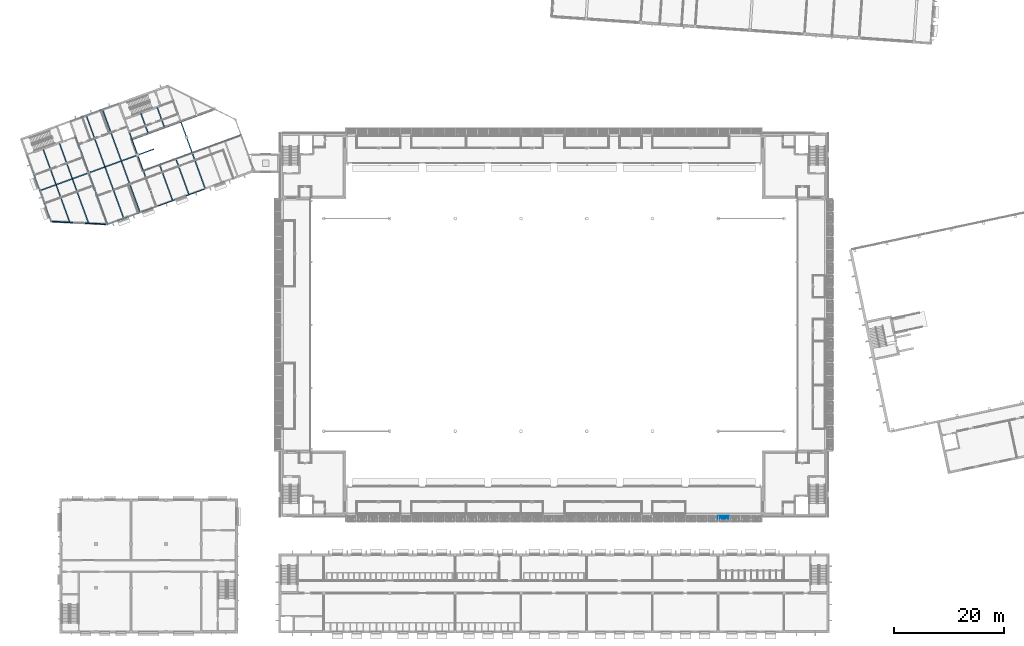
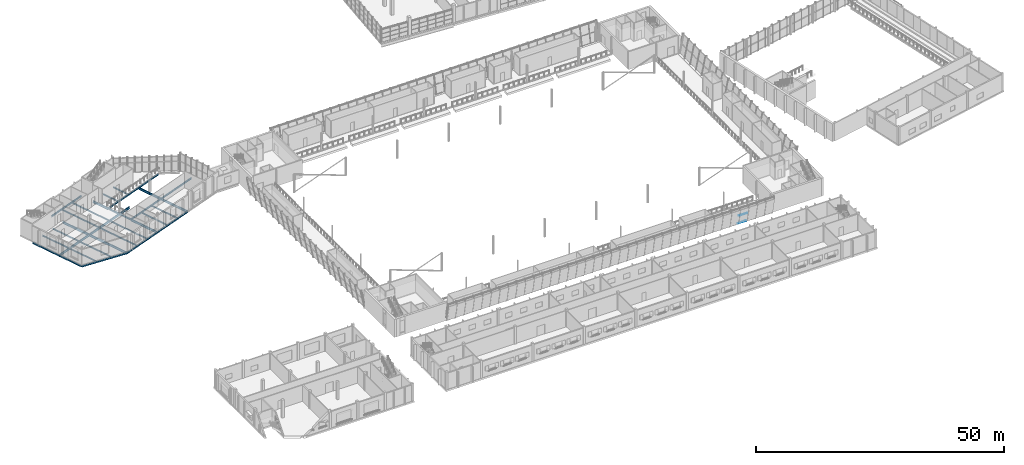
# One storey, part 30 of 115: 36 beams, 2 members, 1 element without a shape of its own.
"""IFC4 building model written with IfcOpenShell, lengths in metres."""

from ifc_helpers import new_model, si_unit, direction, frame, origin, origin_2d, place, context, subcontext, project, spatial, rectangle, i_section, extrude, material, layer, layer_set, material_profile, profile_set, type_object, element, aggregate, save


model = new_model("IFC4")

# Units and contexts
model_context = context("Model", 3, precision=1e-05, world=origin(), true_north=direction((0.0, 1.0)))
body_context = subcontext(model_context, "Body", "Model", "MODEL_VIEW")
ifc_project = project(units=[si_unit("LENGTHUNIT", "METRE"), si_unit("AREAUNIT", "SQUARE_METRE"), si_unit("VOLUMEUNIT", "CUBIC_METRE"), si_unit("PLANEANGLEUNIT", "RADIAN"), si_unit("MASSUNIT", "GRAM", prefix="KILO")], contexts=[model_context])

# Site, building, storey
site_placement = place(None, origin())
site = spatial("IfcSite", under=ifc_project, at=site_placement, CompositionType="ELEMENT")
building_placement = place(site_placement, origin())
building = spatial("IfcBuilding", under=site, at=building_placement, Name="Windward Yard Aquatics Centre", CompositionType="ELEMENT")
storey_placement = place(building_placement, frame((0.0, 0.0, 5.0)))
storey = spatial("IfcBuildingStorey", under=building, at=storey_placement, Name="L01", CompositionType="ELEMENT", Elevation=5.0)

# Beams
ifc_material_1 = material(Name="Steel S355", Category="steel")
ifc_material_profile_1 = material_profile(ifc_material_1, i_section(OverallWidth=0.202880859375, OverallDepth=0.302001953125, WebThickness=0.007568359375, FlangeThickness=0.01318359375, at=origin_2d()), Name="W310x60")
ifc_profile_set_1 = profile_set([ifc_material_profile_1], Name="Steel S355")
beam_type_1 = type_object("IfcBeamType", Name="F W310x60 joist", PredefinedType="JOIST", material=ifc_profile_set_1)
beam_1_placement = place(storey_placement, frame((13.59619140625, 79.785888671875, -0.430908203125), z_axis=(-0.342024818846, 0.939690919023, 0.0), x_axis=(-0.939690919023, -0.342024818846, 0.0)))
element("IfcBeam", 1, at=beam_1_placement, inside=storey, type_object=beam_type_1, Name="F.BM.L01.S01", PredefinedType="JOIST", context=body_context, shape_type="SweptSolid", body=[
    extrude(i_section(OverallWidth=0.202880859375, OverallDepth=0.302001953125, WebThickness=0.007568359375, FlangeThickness=0.01318359375, at=origin_2d()), origin(), (0.0, 0.0, 1.0), 7.235107421875),
])
beam_2_placement = place(storey_placement, frame((11.12158203125, 86.584716796875, -0.430908203125), z_axis=(-0.342043114572, 0.939684259618, 0.0), x_axis=(-0.939684259618, -0.342043114572, 0.0)))
element("IfcBeam", 2, at=beam_2_placement, inside=storey, type_object=beam_type_1, Name="F.BM.L01.S02", PredefinedType="JOIST", context=body_context, shape_type="SweptSolid", body=[
    extrude(i_section(OverallWidth=0.202880859375, OverallDepth=0.302001953125, WebThickness=0.007568359375, FlangeThickness=0.01318359375, at=origin_2d()), origin(), (0.0, 0.0, 1.0), 6.989990234375),
])
beam_3_placement = place(storey_placement, frame((17.02783203125, 79.615966796875, -0.430908203125), z_axis=(-0.342026726958, 0.939690224514, 0.0), x_axis=(-0.939690224514, -0.342026726958, 0.0)))
element("IfcBeam", 3, at=beam_3_placement, inside=storey, type_object=beam_type_1, Name="F.BM.L01.S03", PredefinedType="JOIST", context=body_context, shape_type="SweptSolid", body=[
    extrude(i_section(OverallWidth=0.202880859375, OverallDepth=0.302001953125, WebThickness=0.007568359375, FlangeThickness=0.01318359375, at=origin_2d()), origin(), (0.0, 0.0, 1.0), 8.568603515625),
])
beam_4_placement = place(storey_placement, frame((14.09716796875, 87.667724609375, -0.430908203125), z_axis=(-0.34201227298, 0.93969548532, 0.0), x_axis=(-0.93969548532, -0.34201227298, 0.0)))
element("IfcBeam", 4, at=beam_4_placement, inside=storey, type_object=beam_type_1, Name="F.BM.L01.S04", PredefinedType="JOIST", context=body_context, shape_type="SweptSolid", body=[
    extrude(i_section(OverallWidth=0.202880859375, OverallDepth=0.302001953125, WebThickness=0.007568359375, FlangeThickness=0.01318359375, at=origin_2d()), origin(), (0.0, 0.0, 1.0), 6.989990234375),
])
beam_5_placement = place(storey_placement, frame((23.43798828125, 80.52197265625, -0.430908203125), z_axis=(-0.342029874703, 0.939689078797, 0.0), x_axis=(-0.939689078797, -0.342029874703, 0.0)))
element("IfcBeam", 5, at=beam_5_placement, inside=storey, type_object=beam_type_1, Name="F.BM.L01.S05", PredefinedType="JOIST", context=body_context, shape_type="SweptSolid", body=[
    extrude(i_section(OverallWidth=0.202880859375, OverallDepth=0.302001953125, WebThickness=0.007568359375, FlangeThickness=0.01318359375, at=origin_2d()), origin(), (0.0, 0.0, 1.0), 9.90966796875),
])
beam_6_placement = place(storey_placement, frame((20.048583984375, 89.833984375, -0.430908203125), z_axis=(-0.342016037976, 0.939694115001, 0.0), x_axis=(-0.939694115001, -0.342016037976, 0.0)))
element("IfcBeam", 6, at=beam_6_placement, inside=storey, type_object=beam_type_1, Name="F.BM.L01.S06", PredefinedType="JOIST", context=body_context, shape_type="SweptSolid", body=[
    extrude(i_section(OverallWidth=0.202880859375, OverallDepth=0.302001953125, WebThickness=0.007568359375, FlangeThickness=0.01318359375, at=origin_2d()), origin(), (0.0, 0.0, 1.0), 9.909423828125),
])
beam_7_placement = place(storey_placement, frame((26.41357421875, 81.60498046875, -0.430908203125), z_axis=(-0.34200811993, 0.939696996857, 0.0), x_axis=(-0.939696996857, -0.34200811993, 0.0)))
element("IfcBeam", 7, at=beam_7_placement, inside=storey, type_object=beam_type_1, Name="F.BM.L01.S07", PredefinedType="JOIST", context=body_context, shape_type="SweptSolid", body=[
    extrude(i_section(OverallWidth=0.202880859375, OverallDepth=0.302001953125, WebThickness=0.007568359375, FlangeThickness=0.01318359375, at=origin_2d()), origin(), (0.0, 0.0, 1.0), 9.90966796875),
])
beam_8_placement = place(storey_placement, frame((23.0244140625, 90.9169921875, -0.430908203125), z_axis=(-0.34203779312, 0.939686196599, 0.0), x_axis=(-0.939686196599, -0.34203779312, 0.0)))
element("IfcBeam", 8, at=beam_8_placement, inside=storey, type_object=beam_type_1, Name="F.BM.L01.S08", PredefinedType="JOIST", context=body_context, shape_type="SweptSolid", body=[
    extrude(i_section(OverallWidth=0.202880859375, OverallDepth=0.302001953125, WebThickness=0.007568359375, FlangeThickness=0.01318359375, at=origin_2d()), origin(), (0.0, 0.0, 1.0), 9.909423828125),
])
beam_9_placement = place(storey_placement, frame((32.364990234375, 83.771240234375, -0.430908203125), z_axis=(-0.342027643385, 0.939689890954, 0.0), x_axis=(-0.939689890954, -0.342027643385, 0.0)))
element("IfcBeam", 9, at=beam_9_placement, inside=storey, type_object=beam_type_1, Name="F.BM.L01.S09", PredefinedType="JOIST", context=body_context, shape_type="SweptSolid", body=[
    extrude(i_section(OverallWidth=0.202880859375, OverallDepth=0.302001953125, WebThickness=0.007568359375, FlangeThickness=0.01318359375, at=origin_2d()), origin(), (0.0, 0.0, 1.0), 6.81884765625),
])
beam_10_placement = place(storey_placement, frame((27.918701171875, 95.9873046875, -0.430908203125), z_axis=(-0.342029583368, 0.939689184838, 0.0), x_axis=(-0.939689184838, -0.342029583368, 0.0)))
element("IfcBeam", 10, at=beam_10_placement, inside=storey, type_object=beam_type_1, Name="F.BM.L01.S10", PredefinedType="JOIST", context=body_context, shape_type="SweptSolid", body=[
    extrude(i_section(OverallWidth=0.202880859375, OverallDepth=0.302001953125, WebThickness=0.007568359375, FlangeThickness=0.01318359375, at=origin_2d()), origin(), (0.0, 0.0, 1.0), 3.8994140625),
])
beam_11_placement = place(storey_placement, frame((35.340576171875, 84.854248046875, -0.430908203125), z_axis=(-0.342027643385, 0.939689890954, 0.0), x_axis=(-0.939689890954, -0.342027643385, 0.0)))
element("IfcBeam", 11, at=beam_11_placement, inside=storey, type_object=beam_type_1, Name="F.BM.L01.S11", PredefinedType="JOIST", context=body_context, shape_type="SweptSolid", body=[
    extrude(i_section(OverallWidth=0.202880859375, OverallDepth=0.302001953125, WebThickness=0.007568359375, FlangeThickness=0.01318359375, at=origin_2d()), origin(), (0.0, 0.0, 1.0), 6.81884765625),
])
beam_12_placement = place(storey_placement, frame((30.894287109375, 97.0703125, -0.430908203125), z_axis=(-0.341974297405, 0.93970930607, 0.0), x_axis=(-0.93970930607, -0.341974297405, 0.0)))
element("IfcBeam", 12, at=beam_12_placement, inside=storey, type_object=beam_type_1, Name="F.BM.L01.S12", PredefinedType="JOIST", context=body_context, shape_type="SweptSolid", body=[
    extrude(i_section(OverallWidth=0.202880859375, OverallDepth=0.302001953125, WebThickness=0.007568359375, FlangeThickness=0.01318359375, at=origin_2d()), origin(), (0.0, 0.0, 1.0), 3.8994140625),
])
ifc_material_profile_2 = material_profile(ifc_material_1, i_section(OverallWidth=0.180908203125, OverallDepth=0.4169921875, WebThickness=0.010986328125, FlangeThickness=0.018310546875, at=origin_2d()), Name="W410x85")
ifc_profile_set_2 = profile_set([ifc_material_profile_2], Name="Steel S355")
beam_type_2 = type_object("IfcBeamType", Name="F W410x85 beam", PredefinedType="BEAM", material=ifc_profile_set_2)
beam_13_placement = place(storey_placement, frame((10.197998046875, 79.863525390625, -0.488525390625), z_axis=(0.998777549242, -0.049430831779, 0.0), x_axis=(0.049430831779, 0.998777549242, 0.0)))
element("IfcBeam", 13, at=beam_13_placement, inside=storey, type_object=beam_type_2, Name="F.BM.L01.R01", PredefinedType="BEAM", context=body_context, shape_type="SweptSolid", body=[
    extrude(i_section(OverallWidth=0.180908203125, OverallDepth=0.4169921875, WebThickness=0.010986328125, FlangeThickness=0.018310546875, at=origin_2d()), origin(), (0.0, 0.0, 1.0), 10.307861328125),
])
beam_14_placement = place(storey_placement, frame((20.4931640625, 79.35400390625, -0.488525390625), z_axis=(0.939697342025, 0.342007171549, 0.0), x_axis=(-0.342007171549, 0.939697342025, 0.0)))
element("IfcBeam", 14, at=beam_14_placement, inside=storey, type_object=beam_type_2, Name="F.BM.L01.R02", PredefinedType="BEAM", context=body_context, shape_type="SweptSolid", body=[
    extrude(i_section(OverallWidth=0.180908203125, OverallDepth=0.4169921875, WebThickness=0.010986328125, FlangeThickness=0.018310546875, at=origin_2d()), origin(), (0.0, 0.0, 1.0), 9.499755859375),
])
beam_15_placement = place(storey_placement, frame((29.420166015625, 82.60302734375, -0.488525390625), z_axis=(0.939692088769, 0.342021605027, 0.0), x_axis=(-0.342021605027, 0.939692088769, 0.0)))
element("IfcBeam", 15, at=beam_15_placement, inside=storey, type_object=beam_type_2, Name="F.BM.L01.R03", PredefinedType="BEAM", context=body_context, shape_type="SweptSolid", body=[
    extrude(i_section(OverallWidth=0.180908203125, OverallDepth=0.4169921875, WebThickness=0.010986328125, FlangeThickness=0.018310546875, at=origin_2d()), origin(), (0.0, 0.0, 1.0), 9.500244140625),
])
beam_16_placement = place(storey_placement, frame((22.5703125, 101.3935546875, -0.488525390625), z_axis=(-0.939688862221, -0.34203046972, 0.0), x_axis=(0.34203046972, -0.939688862221, 0.0)))
element("IfcBeam", 16, at=beam_16_placement, inside=storey, type_object=beam_type_2, Name="F.BM.L01.R08", PredefinedType="BEAM", context=body_context, shape_type="SweptSolid", body=[
    extrude(i_section(OverallWidth=0.180908203125, OverallDepth=0.4169921875, WebThickness=0.010986328125, FlangeThickness=0.018310546875, at=origin_2d()), origin(), (0.0, 0.0, 1.0), 9.47998046875),
])
beam_17_placement = place(storey_placement, frame((5.755126953125, 92.070068359375, -0.488525390625), z_axis=(0.34201227298, -0.93969548532, 0.0), x_axis=(0.93969548532, 0.34201227298, 0.0)))
element("IfcBeam", 17, at=beam_17_placement, inside=storey, type_object=beam_type_2, Name="F.BM.L01.R09", PredefinedType="BEAM", context=body_context, shape_type="SweptSolid", body=[
    extrude(i_section(OverallWidth=0.180908203125, OverallDepth=0.4169921875, WebThickness=0.010986328125, FlangeThickness=0.018310546875, at=origin_2d()), origin(), (0.0, 0.0, 1.0), 6.989990234375),
])
beam_18_placement = place(storey_placement, frame((8.145751953125, 85.501708984375, -0.488525390625), z_axis=(0.342037080957, -0.939686455819, 0.0), x_axis=(0.939686455819, 0.342037080957, 0.0)))
element("IfcBeam", 18, at=beam_18_placement, inside=storey, type_object=beam_type_2, Name="F.BM.L01.R10", PredefinedType="BEAM", context=body_context, shape_type="SweptSolid", body=[
    extrude(i_section(OverallWidth=0.180908203125, OverallDepth=0.4169921875, WebThickness=0.010986328125, FlangeThickness=0.018310546875, at=origin_2d()), origin(), (0.0, 0.0, 1.0), 6.0),
])
beam_19_placement = place(storey_placement, frame((39.852294921875, 100.234375, -0.488525390625), z_axis=(-0.939692987591, -0.342019135535, 0.0), x_axis=(0.342019135535, -0.939692987591, 0.0)))
element("IfcBeam", 19, at=beam_19_placement, inside=storey, type_object=beam_type_2, Name="F.BM.L01.E01", PredefinedType="BEAM", context=body_context, shape_type="SweptSolid", body=[
    extrude(i_section(OverallWidth=0.180908203125, OverallDepth=0.4169921875, WebThickness=0.010986328125, FlangeThickness=0.018310546875, at=origin_2d()), origin(), (0.0, 0.0, 1.0), 15.833251953125),
])
for number, where, z_axis, x_axis, name in (
    (20, (24.973876953125, 94.819091796875, -0.488525390625), (0.342037080957, -0.939686455819, 0.0), (0.939686455819, 0.342037080957, 0.0), "F.BM.L01.E02"),
    (21, (26.0, 92.0, -0.488525390625), (0.342037080957, -0.939686455819, 0.0), (0.939686455819, 0.342037080957, 0.0), "F.BM.L01.E03"),
):
    element("IfcBeam", number, at=place(storey_placement, frame(where, z_axis=z_axis, x_axis=x_axis)), inside=storey, type_object=beam_type_2, Name=name, PredefinedType="BEAM", context=body_context, shape_type="SweptSolid", body=[
        extrude(i_section(OverallWidth=0.180908203125, OverallDepth=0.4169921875, WebThickness=0.010986328125, FlangeThickness=0.018310546875, at=origin_2d()), origin(), (0.0, 0.0, 1.0), 3.0),
    ])
beam_20_placement = place(storey_placement, frame((27.026123046875, 89.180908203125, -0.488525390625), z_axis=(0.939693212302, 0.342018518144, 0.0), x_axis=(-0.342018518144, 0.939693212302, 0.0)))
element("IfcBeam", 22, at=beam_20_placement, inside=storey, type_object=beam_type_2, Name="F.BM.L01.E04", PredefinedType="BEAM", context=body_context, shape_type="SweptSolid", body=[
    extrude(i_section(OverallWidth=0.180908203125, OverallDepth=0.4169921875, WebThickness=0.010986328125, FlangeThickness=0.018310546875, at=origin_2d()), origin(), (0.0, 0.0, 1.0), 18.999755859375),
])
ifc_material_profile_3 = material_profile(ifc_material_1, i_section(OverallWidth=0.208984375, OverallDepth=0.532958984375, WebThickness=0.01025390625, FlangeThickness=0.015625, at=origin_2d()), Name="W530x92")
ifc_profile_set_3 = profile_set([ifc_material_profile_3], Name="Steel S355")
beam_type_3 = type_object("IfcBeamType", Name="F W530x92 beam", PredefinedType="BEAM", material=ifc_profile_set_3)
beam_21_placement = place(storey_placement, frame((20.4931640625, 79.35400390625, -0.54638671875), z_axis=(-0.342023369638, 0.939691446498, 0.0), x_axis=(-0.939691446498, -0.342023369638, 0.0)))
element("IfcBeam", 23, at=beam_21_placement, inside=storey, type_object=beam_type_3, Name="F.BM.L01.P01", PredefinedType="BEAM", context=body_context, shape_type="SweptSolid", body=[
    extrude(i_section(OverallWidth=0.208984375, OverallDepth=0.532958984375, WebThickness=0.01025390625, FlangeThickness=0.015625, at=origin_2d()), origin(), (0.0, 0.0, 1.0), 9.999755859375),
])
beam_22_placement = place(storey_placement, frame((17.072998046875, 88.750732421875, -0.54638671875), z_axis=(-0.342031888842, 0.939688345685, 0.0), x_axis=(-0.939688345685, -0.342031888842, 0.0)))
element("IfcBeam", 24, at=beam_22_placement, inside=storey, type_object=beam_type_3, Name="F.BM.L01.P02", PredefinedType="BEAM", context=body_context, shape_type="SweptSolid", body=[
    extrude(i_section(OverallWidth=0.208984375, OverallDepth=0.532958984375, WebThickness=0.01025390625, FlangeThickness=0.015625, at=origin_2d()), origin(), (0.0, 0.0, 1.0), 6.990234375),
])
beam_23_placement = place(storey_placement, frame((29.420166015625, 82.60302734375, -0.54638671875), z_axis=(-0.342006283793, 0.939697665127, 0.0), x_axis=(-0.939697665127, -0.342006283793, 0.0)))
element("IfcBeam", 25, at=beam_23_placement, inside=storey, type_object=beam_type_3, Name="F.BM.L01.P03", PredefinedType="BEAM", context=body_context, shape_type="SweptSolid", body=[
    extrude(i_section(OverallWidth=0.208984375, OverallDepth=0.532958984375, WebThickness=0.01025390625, FlangeThickness=0.015625, at=origin_2d()), origin(), (0.0, 0.0, 1.0), 7.0),
])
beam_24_placement = place(storey_placement, frame((24.973876953125, 94.819091796875, -0.54638671875), z_axis=(-0.341973955412, 0.939709430526, 0.0), x_axis=(-0.939709430526, -0.341973955412, 0.0)))
element("IfcBeam", 26, at=beam_24_placement, inside=storey, type_object=beam_type_3, Name="F.BM.L01.P04", PredefinedType="BEAM", context=body_context, shape_type="SweptSolid", body=[
    extrude(i_section(OverallWidth=0.208984375, OverallDepth=0.532958984375, WebThickness=0.01025390625, FlangeThickness=0.015625, at=origin_2d()), origin(), (0.0, 0.0, 1.0), 3.989990234375),
])
beam_25_placement = place(storey_placement, frame((38.347412109375, 85.852294921875, -0.54638671875), z_axis=(-0.342026745878, 0.939690217627, 0.0), x_axis=(-0.939690217627, -0.342026745878, 0.0)))
element("IfcBeam", 27, at=beam_25_placement, inside=storey, type_object=beam_type_3, Name="F.BM.L01.P05", PredefinedType="BEAM", context=body_context, shape_type="SweptSolid", body=[
    extrude(i_section(OverallWidth=0.208984375, OverallDepth=0.532958984375, WebThickness=0.01025390625, FlangeThickness=0.015625, at=origin_2d()), origin(), (0.0, 0.0, 1.0), 6.90966796875),
])
beam_26_placement = place(storey_placement, frame((35.922119140625, 92.51513671875, -0.54638671875), z_axis=(-0.342012537365, 0.939695389094, 0.0), x_axis=(-0.939695389094, -0.342012537365, 0.0)))
element("IfcBeam", 28, at=beam_26_placement, inside=storey, type_object=beam_type_3, Name="F.BM.L01.P06", PredefinedType="BEAM", context=body_context, shape_type="SweptSolid", body=[
    extrude(i_section(OverallWidth=0.208984375, OverallDepth=0.532958984375, WebThickness=0.01025390625, FlangeThickness=0.015625, at=origin_2d()), origin(), (0.0, 0.0, 1.0), 2.90966796875),
])
beam_27_placement = place(storey_placement, frame((34.927001953125, 95.249267578125, -0.54638671875), z_axis=(-0.34203950662, 0.939685572897, 0.0), x_axis=(-0.939685572897, -0.34203950662, 0.0)))
element("IfcBeam", 29, at=beam_27_placement, inside=storey, type_object=beam_type_3, Name="F.BM.L01.P07", PredefinedType="BEAM", context=body_context, shape_type="SweptSolid", body=[
    extrude(i_section(OverallWidth=0.208984375, OverallDepth=0.532958984375, WebThickness=0.01025390625, FlangeThickness=0.015625, at=origin_2d()), origin(), (0.0, 0.0, 1.0), 2.909423828125),
])
beam_28_placement = place(storey_placement, frame((8.145751953125, 85.501708984375, -0.54638671875), z_axis=(0.939703353643, 0.341990653603, 0.0), x_axis=(-0.341990653603, 0.939703353643, 0.0)))
element("IfcBeam", 30, at=beam_28_placement, inside=storey, type_object=beam_type_3, Name="F.BM.L01.P09", PredefinedType="BEAM", context=body_context, shape_type="SweptSolid", body=[
    extrude(i_section(OverallWidth=0.208984375, OverallDepth=0.532958984375, WebThickness=0.01025390625, FlangeThickness=0.015625, at=origin_2d()), origin(), (0.0, 0.0, 1.0), 3.166748046875),
])
beam_29_placement = place(storey_placement, frame((11.12158203125, 86.584716796875, -0.54638671875), z_axis=(0.93969433589, 0.34201543108, 0.0), x_axis=(-0.34201543108, 0.93969433589, 0.0)))
element("IfcBeam", 31, at=beam_29_placement, inside=storey, type_object=beam_type_3, Name="F.BM.L01.P10", PredefinedType="BEAM", context=body_context, shape_type="SweptSolid", body=[
    extrude(i_section(OverallWidth=0.208984375, OverallDepth=0.532958984375, WebThickness=0.01025390625, FlangeThickness=0.015625, at=origin_2d()), origin(), (0.0, 0.0, 1.0), 3.16650390625),
])
for number, where, z_axis, x_axis, name in (
    (32, (14.09716796875, 87.667724609375, -0.54638671875), (0.939703353643, 0.341990653603, 0.0), (-0.341990653603, 0.939703353643, 0.0), "F.BM.L01.P11"),
    (33, (17.072998046875, 88.750732421875, -0.54638671875), (0.939669554923, 0.342083509615, 0.0), (-0.342083509615, 0.939669554923, 0.0), "F.BM.L01.P12"),
    (34, (20.048583984375, 89.833984375, -0.54638671875), (0.939703353643, 0.341990653603, 0.0), (-0.341990653603, 0.939703353643, 0.0), "F.BM.L01.P13"),
):
    element("IfcBeam", number, at=place(storey_placement, frame(where, z_axis=z_axis, x_axis=x_axis)), inside=storey, type_object=beam_type_3, Name=name, PredefinedType="BEAM", context=body_context, shape_type="SweptSolid", body=[
        extrude(i_section(OverallWidth=0.208984375, OverallDepth=0.532958984375, WebThickness=0.01025390625, FlangeThickness=0.015625, at=origin_2d()), origin(), (0.0, 0.0, 1.0), 3.166748046875),
    ])
for number, where, z_axis, x_axis, name in (
    (35, (23.0244140625, 90.9169921875, -0.54638671875), (0.93969433589, 0.34201543108, 0.0), (-0.34201543108, 0.93969433589, 0.0), "F.BM.L01.P14"),
    (36, (26.0, 92.0, -0.54638671875), (0.93969433589, 0.34201543108, 0.0), (-0.34201543108, 0.93969433589, 0.0), "F.BM.L01.P15"),
):
    element("IfcBeam", number, at=place(storey_placement, frame(where, z_axis=z_axis, x_axis=x_axis)), inside=storey, type_object=beam_type_3, Name=name, PredefinedType="BEAM", context=body_context, shape_type="SweptSolid", body=[
        extrude(i_section(OverallWidth=0.208984375, OverallDepth=0.532958984375, WebThickness=0.01025390625, FlangeThickness=0.015625, at=origin_2d()), origin(), (0.0, 0.0, 1.0), 3.16650390625),
    ])

# Curtain wall, members
ifc_material_2 = material(Name="Glass and aluminium curtain wall", Category="aluminium")
ifc_layer = layer(ifc_material_2, 0.179931640625)
ifc_layer_set = layer_set([ifc_layer], Name="H curtain wall tier 1 double glazed 8+16+8")
curtain_wall_type = type_object("IfcCurtainWallType", Name="H curtain wall tier 1 double glazed 8+16+8", PredefinedType="NOTDEFINED", material=ifc_layer_set)
curtain_wall_placement = place(storey_placement, origin())
curtain_wall = element("IfcCurtainWall", 37, at=curtain_wall_placement, inside=storey, type_object=curtain_wall_type, Name="Tier 1 glazing S L01", PredefinedType="NOTDEFINED")
ifc_material_3 = material(Name="Aluminium 6063-T6 anodised", Category="aluminium")
ifc_material_profile_4 = material_profile(ifc_material_3, rectangle(XDim=0.06494140625, YDim=0.10009765625, at=origin_2d()), Name="H CW transom 65x100")
ifc_profile_set_4 = profile_set([ifc_material_profile_4], Name="Aluminium 6063-T6 anodised")
member_type = type_object("IfcMemberType", Name="H CW transom 65x100", PredefinedType="USERDEFINED", material=ifc_profile_set_4)
member_1_placement = place(storey_placement, frame((132.033447265625, 26.08056640625, 0.055419921875), z_axis=(1.0, 0.0, 0.0), x_axis=(0.0, 0.979924704642, 0.199367934315)))
member_1 = element("IfcMember", 38, at=member_1_placement, type_object=member_type, Name="G1SB transom 16.1", ObjectType="TRANSOM", PredefinedType="USERDEFINED", context=body_context, shape_type="SweptSolid", body=[
    extrude(rectangle(XDim=0.06494140625, YDim=0.10009765625, at=origin_2d()), origin(), (0.0, 0.0, 1.0), 1.934814453125),
])
member_2_placement = place(storey_placement, frame((132.033447265625, 25.644287109375, 2.199951171875), z_axis=(1.0, 0.0, 0.0), x_axis=(0.0, 0.979924704642, 0.199367934315)))
member_2 = element("IfcMember", 39, at=member_2_placement, type_object=member_type, Name="G1SB transom 16.2", ObjectType="TRANSOM", PredefinedType="USERDEFINED", context=body_context, shape_type="SweptSolid", body=[
    extrude(rectangle(XDim=0.06494140625, YDim=0.10009765625, at=origin_2d()), origin(), (0.0, 0.0, 1.0), 1.934814453125),
])
aggregate(curtain_wall, [member_1, member_2])

save(model, "model.ifc")
